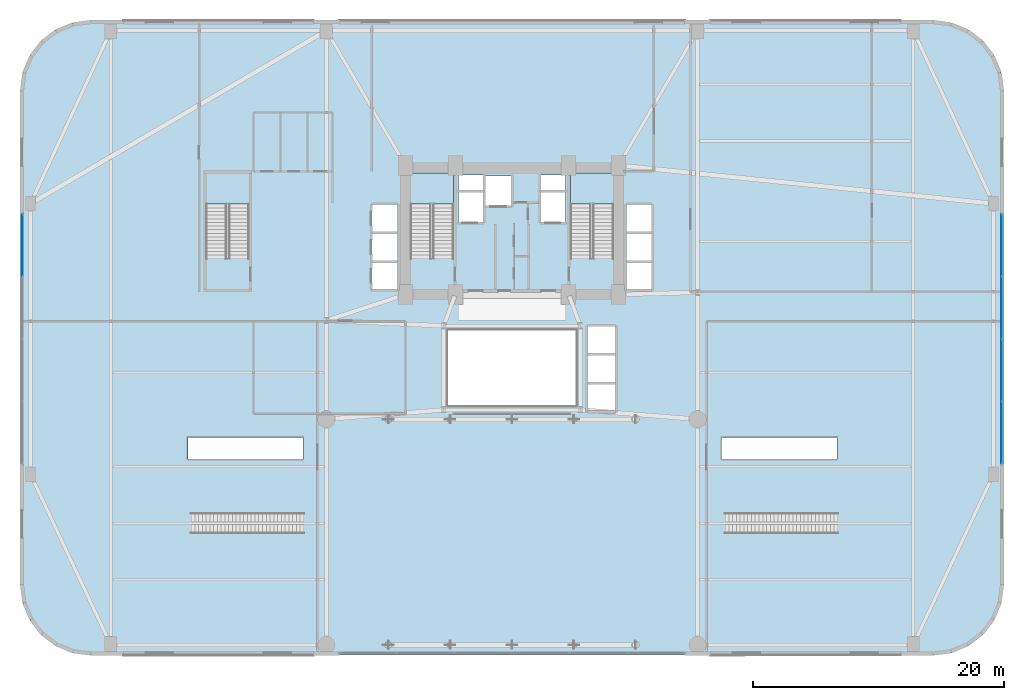
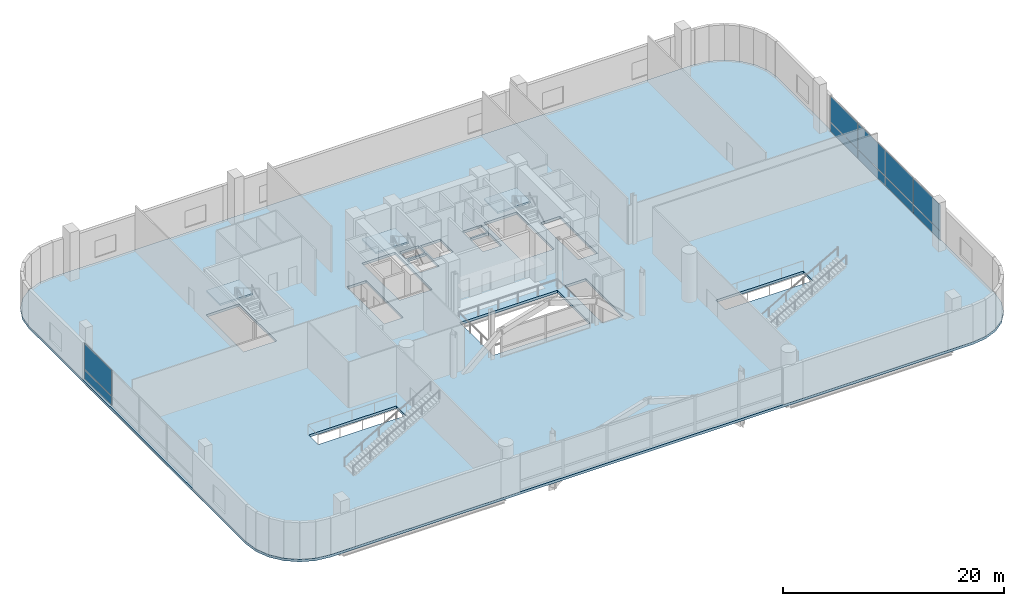
# One storey, part 24 of 36: 10 plates, 4 slabs, 5 elements without a shape of their own.
"""IFC4 building model written with IfcOpenShell, lengths in metres."""

from ifc_helpers import new_model, si_unit, direction, frame, origin, origin_2d, place, context, subcontext, project, spatial, polyline, rectangle, outline, extrude, source, transform, mapped, material, layer, layer_set, type_object, element, aggregate, save


model = new_model("IFC4")

# Units and contexts
model_context = context("Model", 3, precision=1e-05, world=origin(), true_north=direction((0.0, 1.0)))
body_context = subcontext(model_context, "Body", "Model", "MODEL_VIEW")
ifc_project = project(units=[si_unit("LENGTHUNIT", "METRE"), si_unit("AREAUNIT", "SQUARE_METRE"), si_unit("VOLUMEUNIT", "CUBIC_METRE"), si_unit("PLANEANGLEUNIT", "RADIAN"), si_unit("MASSUNIT", "GRAM", prefix="KILO")], contexts=[model_context])

# Site, building, storey
site_placement = place(None, origin())
site = spatial("IfcSite", under=ifc_project, at=site_placement, CompositionType="ELEMENT")
building_placement = place(site_placement, origin())
building = spatial("IfcBuilding", under=site, at=building_placement, Name="Varnelok Gate Tower", CompositionType="ELEMENT")
storey_placement = place(building_placement, frame((0.0, 0.0, 10.800048828125)))
storey = spatial("IfcBuildingStorey", under=building, at=storey_placement, Name="L02", CompositionType="ELEMENT", Elevation=10.800048828125)

# Stair, slab
ifc_material_1 = material(Name="Concrete C50/60", Category="concrete")
stair_type = type_object("IfcStairType", Name="STR-CORE-1650", PredefinedType="HALF_TURN_STAIR", material=ifc_material_1)
stair_1_placement = place(storey_placement, origin())
stair_1 = element("IfcStair", 1, at=stair_1_placement, inside=storey, type_object=stair_type, Name="L02 Exit Stair ST-1", PredefinedType="HALF_TURN_STAIR")
ifc_material_2 = material(Name="Concrete C45/55", Category="concrete")
ifc_layer_1 = layer(ifc_material_2, 0.199951171875)
ifc_layer_set_1 = layer_set([ifc_layer_1], Name="Concrete C45/55")
slab_type_1 = type_object("IfcSlabType", Name="SLB-LAND-200", PredefinedType="LANDING", material=ifc_layer_set_1)
slab_1_placement = place(storey_placement, frame((0.0, 0.0, 2.5)))
slab_1 = element("IfcSlab", 2, at=slab_1_placement, type_object=slab_type_1, Name="ST-1 landing 1", PredefinedType="LANDING", context=body_context, shape_type="SweptSolid", body=[
    extrude(outline(polyline([(34.550048828125, 35.949951171875), (34.550048828125, 38.449951171875), (31.10009765625, 38.449951171875), (31.10009765625, 35.949951171875), (34.550048828125, 35.949951171875)])), origin(), (0.0, 0.0, 1.0), 0.199951171875),
])
aggregate(stair_1, [slab_1])

stair_2_placement = place(storey_placement, origin())
stair_2 = element("IfcStair", 3, at=stair_2_placement, inside=storey, type_object=stair_type, Name="L02 Exit Stair ST-2", PredefinedType="HALF_TURN_STAIR")
slab_2_placement = place(storey_placement, frame((0.0, 0.0, 2.5)))
slab_2 = element("IfcSlab", 4, at=slab_2_placement, type_object=slab_type_1, Name="ST-2 landing 1", PredefinedType="LANDING", context=body_context, shape_type="SweptSolid", body=[
    extrude(outline(polyline([(47.300048828125, 35.949951171875), (47.300048828125, 38.449951171875), (43.85009765625, 38.449951171875), (43.85009765625, 35.949951171875), (47.300048828125, 35.949951171875)])), origin(), (0.0, 0.0, 1.0), 0.199951171875),
])
aggregate(stair_2, [slab_2])

stair_3_placement = place(storey_placement, origin())
stair_3 = element("IfcStair", 5, at=stair_3_placement, inside=storey, type_object=stair_type, Name="L02 Podium Exit Stair ST-3", PredefinedType="HALF_TURN_STAIR")
slab_3_placement = place(storey_placement, frame((0.0, 0.0, 2.5)))
slab_3 = element("IfcSlab", 6, at=slab_3_placement, type_object=slab_type_1, Name="ST-3 landing 1", PredefinedType="LANDING", context=body_context, shape_type="SweptSolid", body=[
    extrude(outline(polyline([(18.25, 35.949951171875), (18.25, 38.449951171875), (14.800048828125, 38.449951171875), (14.800048828125, 35.949951171875), (18.25, 35.949951171875)])), origin(), (0.0, 0.0, 1.0), 0.199951171875),
])
aggregate(stair_3, [slab_3])

# Slab
ifc_layer_2 = layer(ifc_material_1, 0.280029296875)
ifc_layer_set_2 = layer_set([ifc_layer_2], Name="Concrete C50/60")
slab_type_2 = type_object("IfcSlabType", Name="SLB-POD-280", PredefinedType="FLOOR", material=ifc_layer_set_2)
slab_4_placement = place(storey_placement, frame((0.0, 0.0, -0.280029296875)))
element("IfcSlab", 7, at=slab_4_placement, inside=storey, type_object=slab_type_2, Name="L02 Structural Floor Slab", PredefinedType="FLOOR", context=body_context, shape_type="SweptSolid", body=[
    extrude(outline(polyline([(0.0, 5.60009765625), (0.19091796875, 4.150634765625), (0.750244140625, 2.800048828125), (1.64013671875, 1.64013671875), (2.800048828125, 0.750244140625), (4.150634765625, 0.19091796875), (5.60009765625, 0.0), (72.800048828125, 0.0), (74.24951171875, 0.19091796875), (75.60009765625, 0.750244140625), (76.759765625, 1.64013671875), (77.649658203125, 2.800048828125), (78.209228515625, 4.150634765625), (78.39990234375, 5.60009765625), (78.39990234375, 45.0), (78.209228515625, 46.449462890625), (77.649658203125, 47.800048828125), (76.759765625, 48.959716796875), (75.60009765625, 49.849609375), (74.24951171875, 50.4091796875), (72.800048828125, 50.60009765625), (5.60009765625, 50.60009765625), (4.150634765625, 50.4091796875), (2.800048828125, 49.849609375), (1.64013671875, 48.959716796875), (0.750244140625, 47.800048828125), (0.19091796875, 46.449462890625), (0.0, 45.0), (0.0, 5.60009765625)]), holes=[polyline([(34.550048828125, 31.679931640625), (34.550048828125, 38.449951171875), (31.10009765625, 38.449951171875), (31.10009765625, 31.679931640625), (34.550048828125, 31.679931640625)]), polyline([(47.300048828125, 31.679931640625), (47.300048828125, 38.449951171875), (43.85009765625, 38.449951171875), (43.85009765625, 31.679931640625), (47.300048828125, 31.679931640625)]), polyline([(18.25, 31.679931640625), (18.25, 38.449951171875), (14.800048828125, 38.449951171875), (14.800048828125, 31.679931640625), (18.25, 31.679931640625)]), polyline([(13.35009765625, 15.635009765625), (22.52001953125, 15.635009765625), (22.52001953125, 17.364990234375), (13.35009765625, 17.364990234375), (13.35009765625, 15.635009765625)]), polyline([(55.949951171875, 15.635009765625), (65.1201171875, 15.635009765625), (65.1201171875, 17.364990234375), (55.949951171875, 17.364990234375), (55.949951171875, 15.635009765625)]), polyline([(34.949951171875, 34.550048828125), (36.89990234375, 34.550048828125), (36.89990234375, 36.89990234375), (34.949951171875, 36.89990234375), (34.949951171875, 34.550048828125)]), polyline([(41.5, 34.550048828125), (43.449951171875, 34.550048828125), (43.449951171875, 36.89990234375), (41.5, 36.89990234375), (41.5, 34.550048828125)]), polyline([(37.050048828125, 35.85009765625), (39.14990234375, 35.85009765625), (39.14990234375, 38.199951171875), (37.050048828125, 38.199951171875), (37.050048828125, 35.85009765625)]), polyline([(28.050048828125, 29.14990234375), (30.050048828125, 29.14990234375), (30.050048828125, 35.89990234375), (28.050048828125, 35.89990234375), (28.050048828125, 29.14990234375)]), polyline([(48.35009765625, 29.14990234375), (50.35009765625, 29.14990234375), (50.35009765625, 35.89990234375), (48.35009765625, 35.89990234375), (48.35009765625, 29.14990234375)]), polyline([(45.25, 19.449951171875), (47.449951171875, 19.449951171875), (47.449951171875, 26.199951171875), (45.25, 26.199951171875), (45.25, 19.449951171875)]), polyline([(34.919921875, 37.080078125), (36.89990234375, 37.080078125), (36.89990234375, 38.280029296875), (34.919921875, 38.280029296875), (34.919921875, 37.080078125)]), polyline([(41.5, 37.080078125), (43.47998046875, 37.080078125), (43.47998046875, 38.280029296875), (41.5, 38.280029296875), (41.5, 37.080078125)]), polyline([(34.10009765625, 19.89990234375), (44.300048828125, 19.89990234375), (44.300048828125, 25.89990234375), (34.10009765625, 25.89990234375), (34.10009765625, 19.89990234375)])]), origin(), (0.0, 0.0, 1.0), 0.280029296875),
])

# Curtain wall, plate
ifc_material_3 = material(Name="Anodized Aluminum Alloy 6063-T6", Category="aluminium")
ifc_layer_3 = layer(ifc_material_3, 0.179931640625)
ifc_layer_set_3 = layer_set([ifc_layer_3], Name="Anodized Aluminum Alloy 6063-T6")
curtain_wall_type = type_object("IfcCurtainWallType", Name="CW1-ARCH-PORTAL", PredefinedType="USERDEFINED", material=ifc_layer_set_3)
curtain_wall_1_placement = place(storey_placement, origin())
curtain_wall_1 = element("IfcCurtainWall", 8, at=curtain_wall_1_placement, inside=storey, type_object=curtain_wall_type, Name="L02 Podium Portal Curtain Wall W", ObjectType="UNITISED CURTAIN WALL", PredefinedType="USERDEFINED")
ifc_material_4 = material(Name="Low-E Laminated Double Glazing IGU", Category="glass")
ifc_layer_4 = layer(ifc_material_4, 0.028076171875)
ifc_layer_set_4 = layer_set([ifc_layer_4], Name="Low-E Laminated Double Glazing IGU")
plate_type = type_object("IfcPlateType", Name="CW-PNL-IGU28", PredefinedType="CURTAIN_PANEL", material=ifc_layer_set_4)
shared_shape_1 = source(origin(), body_context, "Body", "SweptSolid", [
    extrude(rectangle(XDim=4.887451171875, YDim=0.028076171875, at=origin_2d()), origin(), (0.0, 0.0, 1.0), 0.987548828125),
])
plate_1_placement = place(storey_placement, frame((0.159912109375, 32.68115234375, 0.07470703125), z_axis=(0.0, 0.0, 1.0), x_axis=(0.0, 1.0, 0.0)))
plate_1 = element("IfcPlate", 9, at=plate_1_placement, type_object=plate_type, Name="CW1 panel 4.1", PredefinedType="CURTAIN_PANEL", context=body_context, shape_type="MappedRepresentation", body=[
    mapped(shared_shape_1, transform((0.0, 0.0, 0.0), scale=1.0)),
])

# Curtain wall, plates
curtain_wall_2_placement = place(storey_placement, origin())
curtain_wall_2 = element("IfcCurtainWall", 10, at=curtain_wall_2_placement, inside=storey, type_object=curtain_wall_type, Name="L02 Podium Portal Curtain Wall E", ObjectType="UNITISED CURTAIN WALL", PredefinedType="USERDEFINED")
plate_2_placement = place(storey_placement, frame((78.239990234375, 32.68115234375, 0.07470703125), z_axis=(0.0, 0.0, 1.0), x_axis=(0.0, -1.0, 0.0)))
plate_2 = element("IfcPlate", 11, at=plate_2_placement, type_object=plate_type, Name="CW1 panel 1.1", PredefinedType="CURTAIN_PANEL", context=body_context, shape_type="MappedRepresentation", body=[
    mapped(shared_shape_1, transform((0.0, 0.0, 0.0), scale=1.0)),
])
plate_3_placement = place(storey_placement, frame((78.239990234375, 17.71875, 0.07470703125), z_axis=(0.0, 0.0, 1.0), x_axis=(0.0, -1.0, 0.0)))
plate_3 = element("IfcPlate", 12, at=plate_3_placement, type_object=plate_type, Name="CW1 panel 4.1", PredefinedType="CURTAIN_PANEL", context=body_context, shape_type="MappedRepresentation", body=[
    mapped(shared_shape_1, transform((0.0, 0.0, 0.0), scale=1.0)),
])

# Plate
shared_shape_2 = source(origin(), body_context, "Body", "SweptSolid", [
    extrude(rectangle(XDim=4.887451171875, YDim=0.028076171875, at=origin_2d()), origin(), (0.0, 0.0, 1.0), 2.857421875),
])
plate_4_placement = place(storey_placement, frame((0.159912109375, 32.68115234375, 1.137451171875), z_axis=(0.0, 0.0, 1.0), x_axis=(0.0, 1.0, 0.0)))
plate_4 = element("IfcPlate", 13, at=plate_4_placement, type_object=plate_type, Name="CW1 panel 4.2", PredefinedType="CURTAIN_PANEL", context=body_context, shape_type="MappedRepresentation", body=[
    mapped(shared_shape_2, transform((0.0, 0.0, 0.0), scale=1.0)),
])

aggregate(curtain_wall_1, [plate_1, plate_4])

plate_5_placement = place(storey_placement, frame((78.239990234375, 32.68115234375, 1.137451171875), z_axis=(0.0, 0.0, 1.0), x_axis=(0.0, -1.0, 0.0)))
plate_5 = element("IfcPlate", 14, at=plate_5_placement, type_object=plate_type, Name="CW1 panel 1.2", PredefinedType="CURTAIN_PANEL", context=body_context, shape_type="MappedRepresentation", body=[
    mapped(shared_shape_2, transform((0.0, 0.0, 0.0), scale=1.0)),
])

plate_6_placement = place(storey_placement, frame((78.239990234375, 17.71875, 1.137451171875), z_axis=(0.0, 0.0, 1.0), x_axis=(0.0, -1.0, 0.0)))
plate_6 = element("IfcPlate", 15, at=plate_6_placement, type_object=plate_type, Name="CW1 panel 4.2", PredefinedType="CURTAIN_PANEL", context=body_context, shape_type="MappedRepresentation", body=[
    mapped(shared_shape_2, transform((0.0, 0.0, 0.0), scale=1.0)),
])

shared_shape_3 = source(origin(), body_context, "Body", "SweptSolid", [
    extrude(rectangle(XDim=4.925048828125, YDim=0.028076171875, at=origin_2d()), origin(), (0.0, 0.0, 1.0), 0.987548828125),
])
plate_7_placement = place(storey_placement, frame((78.239990234375, 27.699951171875, 0.07470703125), z_axis=(0.0, 0.0, 1.0), x_axis=(0.0, -1.0, 0.0)))
plate_7 = element("IfcPlate", 16, at=plate_7_placement, type_object=plate_type, Name="CW1 panel 2.1", PredefinedType="CURTAIN_PANEL", context=body_context, shape_type="MappedRepresentation", body=[
    mapped(shared_shape_3, transform((0.0, 0.0, 0.0), scale=1.0)),
])

plate_8_placement = place(storey_placement, frame((78.239990234375, 22.699951171875, 0.07470703125), z_axis=(0.0, 0.0, 1.0), x_axis=(0.0, -1.0, 0.0)))
plate_8 = element("IfcPlate", 17, at=plate_8_placement, type_object=plate_type, Name="CW1 panel 3.1", PredefinedType="CURTAIN_PANEL", context=body_context, shape_type="MappedRepresentation", body=[
    mapped(shared_shape_3, transform((0.0, 0.0, 0.0), scale=1.0)),
])

shared_shape_4 = source(origin(), body_context, "Body", "SweptSolid", [
    extrude(rectangle(XDim=4.925048828125, YDim=0.028076171875, at=origin_2d()), origin(), (0.0, 0.0, 1.0), 2.857421875),
])
plate_9_placement = place(storey_placement, frame((78.239990234375, 27.699951171875, 1.137451171875), z_axis=(0.0, 0.0, 1.0), x_axis=(0.0, -1.0, 0.0)))
plate_9 = element("IfcPlate", 18, at=plate_9_placement, type_object=plate_type, Name="CW1 panel 2.2", PredefinedType="CURTAIN_PANEL", context=body_context, shape_type="MappedRepresentation", body=[
    mapped(shared_shape_4, transform((0.0, 0.0, 0.0), scale=1.0)),
])

plate_10_placement = place(storey_placement, frame((78.239990234375, 22.699951171875, 1.137451171875), z_axis=(0.0, 0.0, 1.0), x_axis=(0.0, -1.0, 0.0)))
plate_10 = element("IfcPlate", 19, at=plate_10_placement, type_object=plate_type, Name="CW1 panel 3.2", PredefinedType="CURTAIN_PANEL", context=body_context, shape_type="MappedRepresentation", body=[
    mapped(shared_shape_4, transform((0.0, 0.0, 0.0), scale=1.0)),
])

aggregate(curtain_wall_2, [plate_2, plate_5, plate_7, plate_9, plate_8, plate_10, plate_3, plate_6])

save(model, "model.ifc")
